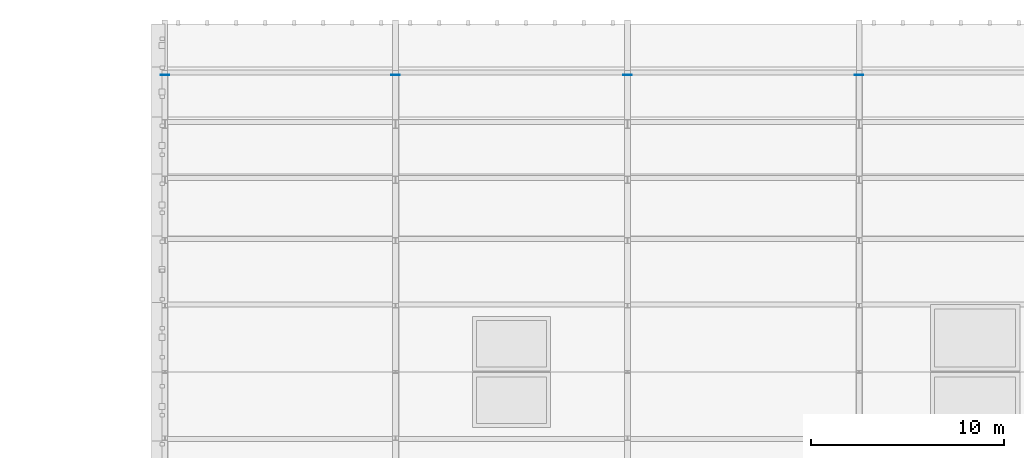
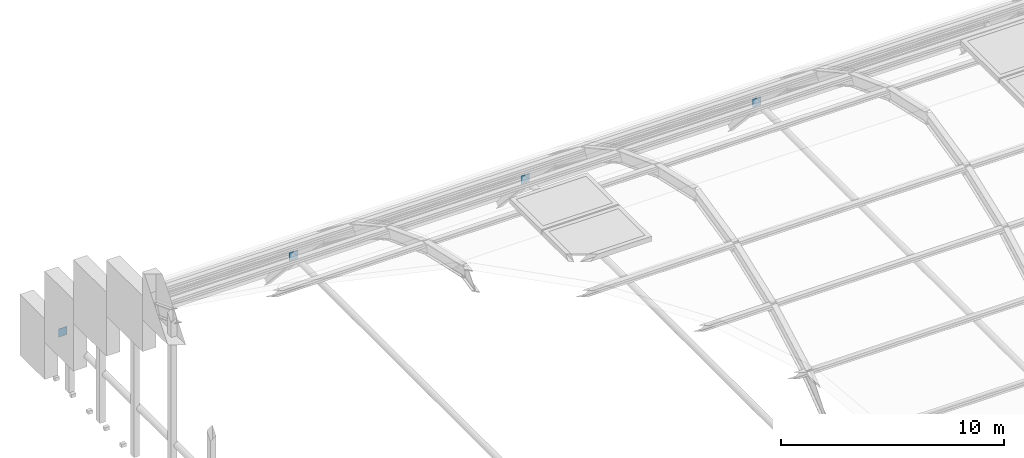
# One storey, part 13 of 35: 4 plates.
"""IFC4 building model written with IfcOpenShell, lengths in metres."""

import ifcopenshell
import ifcopenshell.guid

model = None  # the IFC model being written
_history = None  # IfcOwnerHistory: only IFC2X3 demands one
_inside = {}  # id of a spatial element -> (the spatial element, [elements in it])
_under = {}  # id of a project, library or spatial element -> (it, [spatial elements below it])
_declared = {}  # id of a project -> (the project, [libraries it declares])
_typed = {}  # id of a type object -> (the type object, [elements of that type])
_made_of = {}  # id of a material, layer set ... -> (it, [elements and type objects made of it])


def new_model(schema):
    """Start an empty IFC model of exactly this schema.

    Asked for "IFC4X3", IfcOpenShell would pick the latest addendum, in which some entities
    have other attributes; the version numbers below select the first issue.
    IFC2X3 requires an IfcOwnerHistory on every rooted entity: one is made here for all.
    """
    global model, _history
    if schema == "IFC4X3":
        model = ifcopenshell.file(schema_version=(4, 3, 0, 0))
    else:
        model = ifcopenshell.file(schema=schema)
    _inside.clear()
    _under.clear()
    _declared.clear()
    _typed.clear()
    _made_of.clear()
    _history = None
    if model.schema == "IFC2X3":
        org = make("IfcOrganization", Name="unknown")
        user = make(
            "IfcPersonAndOrganization",
            ThePerson=make("IfcPerson", FamilyName="unknown"),
            TheOrganization=org,
        )
        app = make(
            "IfcApplication",
            ApplicationDeveloper=org,
            Version="unknown",
            ApplicationFullName="unknown",
            ApplicationIdentifier="unknown",
        )
        _history = make(
            "IfcOwnerHistory",
            OwningUser=user,
            OwningApplication=app,
            ChangeAction="ADDED",
            CreationDate=0,
        )
    return model


def make(cls, **values):
    """One entity of the class cls with the attributes given. An attribute that is None is left unset."""
    return model.create_entity(
        cls, **{name: value for name, value in values.items() if value is not None}
    )


def rooted(cls, **values):
    """An entity with a GlobalId (a new one), such as an element, a storey or a relation."""
    return make(cls, GlobalId=ifcopenshell.guid.new(), OwnerHistory=_history, **values)


def si_unit(unit_type, name, prefix=None):
    """IfcSIUnit, for example si_unit("LENGTHUNIT", "METRE", prefix="MILLI")."""
    return make("IfcSIUnit", UnitType=unit_type, Prefix=prefix, Name=name)


def assignment(units):
    """IfcUnitAssignment: the units of a project."""
    return None if units is None else make("IfcUnitAssignment", Units=units)


def point(xyz):
    """IfcCartesianPoint."""
    return None if xyz is None else make("IfcCartesianPoint", Coordinates=xyz)


def direction(xyz):
    """IfcDirection."""
    return None if xyz is None else make("IfcDirection", DirectionRatios=xyz)


def frame(location, z_axis=None, x_axis=None):
    """IfcAxis2Placement3D, a coordinate frame: its origin and axes. An axis left out is left unset."""
    return make(
        "IfcAxis2Placement3D",
        Location=point(location),
        Axis=direction(z_axis),
        RefDirection=direction(x_axis),
    )


def frame_2d(location, x_axis=None):
    """IfcAxis2Placement2D, a coordinate frame in the plane: its origin and x axis."""
    return make(
        "IfcAxis2Placement2D", Location=point(location), RefDirection=direction(x_axis)
    )


def origin():
    """The frame at (0, 0, 0) with its axes left unset."""
    return frame((0.0, 0.0, 0.0))


def origin_2d():
    """The frame at (0, 0) in the plane with its x axis left unset."""
    return frame_2d((0.0, 0.0))


def place(relative_to, where):
    """IfcLocalPlacement: puts the frame where relative to a parent placement (None: the world)."""
    return make(
        "IfcLocalPlacement", PlacementRelTo=relative_to, RelativePlacement=where
    )


def context(
    kind, dimensions, precision=None, world=None, true_north=None, identifier=None
):
    """IfcGeometricRepresentationContext, for example the 3D "Model" context."""
    return make(
        "IfcGeometricRepresentationContext",
        ContextIdentifier=identifier,
        ContextType=kind,
        CoordinateSpaceDimension=dimensions,
        Precision=precision,
        WorldCoordinateSystem=world,
        TrueNorth=true_north,
    )


def subcontext(parent, identifier, kind, view, scale=None):
    """IfcGeometricRepresentationSubContext, for example "Body" below "Model"."""
    return make(
        "IfcGeometricRepresentationSubContext",
        ContextIdentifier=identifier,
        ContextType=kind,
        ParentContext=parent,
        TargetScale=scale,
        TargetView=view,
    )


def project(units=None, contexts=None):
    """IfcProject with its units and contexts."""
    return rooted(
        "IfcProject",
        Name="project",
        RepresentationContexts=contexts,
        UnitsInContext=assignment(units),
    )


def spatial(cls, under=None, at=None, **own):
    """A site, building, storey or space (cls), placed at a placement, below another one or the project."""
    s = rooted(cls, ObjectPlacement=at, **own)
    if under is not None:
        _under.setdefault(under.id(), (under, []))[1].append(s)
    return s


def profile(cls, at=None, kind="AREA", **sizes):
    """A parametric profile (cls). Its sizes go by their IFC names, for example OverallWidth=200.0."""
    return make(cls, ProfileType=kind, Position=at, **sizes)


def rectangle(**sizes):
    """IfcRectangleProfileDef."""
    return profile("IfcRectangleProfileDef", **sizes)


def extrude(swept, where, along, depth):
    """IfcExtrudedAreaSolid: the profile swept, set in the frame where, extruded along a direction by depth."""
    return make(
        "IfcExtrudedAreaSolid",
        SweptArea=swept,
        Position=where,
        ExtrudedDirection=direction(along),
        Depth=depth,
    )


def shape(context_of_items, identifier, shape_type, items):
    """IfcShapeRepresentation: the items that make up one representation, for example the "Body"."""
    return make(
        "IfcShapeRepresentation",
        ContextOfItems=context_of_items,
        RepresentationIdentifier=identifier,
        RepresentationType=shape_type,
        Items=items,
    )


def material(Name=None, Category=None):
    """IfcMaterial."""
    return make("IfcMaterial", Name=Name, Category=Category)


def layer(
    of_material, thickness, ventilated=None, Name=None, Category=None, Priority=None
):
    """IfcMaterialLayer: one layer of a wall or slab, of a material (None: an air gap)."""
    return make(
        "IfcMaterialLayer",
        Material=of_material,
        LayerThickness=thickness,
        IsVentilated=ventilated,
        Name=Name,
        Category=Category,
        Priority=Priority,
    )


def layer_set(layers, Name=None):
    """IfcMaterialLayerSet."""
    return make("IfcMaterialLayerSet", MaterialLayers=layers, LayerSetName=Name)


def made_of(thing, what):
    """Note that an element or type object is made of a material, layer set ...; save() writes the relation."""
    if what is not None:
        _made_of.setdefault(what.id(), (what, []))[1].append(thing)
    return thing


def type_object(cls, material=None, **own):
    """A type object (cls), such as IfcWallType, which elements share."""
    return made_of(rooted(cls, **own), material)


def element(
    cls,
    number,
    at=None,
    inside=None,
    cuts=None,
    type_object=None,
    material=None,
    context=None,
    identifier="Body",
    shape_type=None,
    held_by="IfcProductDefinitionShape",
    body=None,
    shapes=None,
    **own,
):
    """One element of the class cls, such as IfcWall. Its Tag is "e" and its number.

    at: its placement. inside: the storey or other place that contains it. cuts: it is an
    opening in that element (IfcRelVoidsElement). A single representation is given by context,
    identifier, shape_type and body (its items); several are given by shapes. held_by: the class
    of the entity that holds the representations. save() writes the other relations.
    """
    e = rooted(cls, Tag="e%d" % number, ObjectPlacement=at, **own)
    if body is not None:
        shapes = [shape(context, identifier, shape_type, body)]
    if shapes is not None:
        e.Representation = make(held_by, Representations=shapes)
    if inside is not None:
        _inside.setdefault(inside.id(), (inside, []))[1].append(e)
    if cuts is not None:
        rooted(
            "IfcRelVoidsElement", RelatingBuildingElement=cuts, RelatedOpeningElement=e
        )
    if type_object is not None:
        _typed.setdefault(type_object.id(), (type_object, []))[1].append(e)
    return made_of(e, material)


def aggregate(whole, parts):
    """IfcRelAggregates: a whole, such as a stair, and the parts it consists of."""
    return rooted("IfcRelAggregates", RelatingObject=whole, RelatedObjects=parts)


def save(model, path):
    """Write the relations noted so far, then the file.

    IfcRelAggregates (storeys below a building ...), IfcRelContainedInSpatialStructure (elements
    in a storey), IfcRelDefinesByType, IfcRelAssociatesMaterial and IfcRelDeclares: one each for
    every whole, place, type object, material and project.
    """
    for whole, parts in _under.values():
        aggregate(whole, parts)
    for where, things in _inside.values():
        rooted(
            "IfcRelContainedInSpatialStructure",
            RelatedElements=things,
            RelatingStructure=where,
        )
    for kind, things in _typed.values():
        rooted("IfcRelDefinesByType", RelatedObjects=things, RelatingType=kind)
    for what, things in _made_of.values():
        rooted("IfcRelAssociatesMaterial", RelatedObjects=things, RelatingMaterial=what)
    for by, libraries in _declared.values():
        rooted("IfcRelDeclares", RelatingContext=by, RelatedDefinitions=libraries)
    model.write(path)


model = new_model("IFC4")

# Units and contexts
model_context = context("Model", 3, precision=1e-05, world=origin(), true_north=direction((0.0, 1.0)))
body_context = subcontext(model_context, "Body", "Model", "MODEL_VIEW")
ifc_project = project(units=[si_unit("LENGTHUNIT", "METRE"), si_unit("AREAUNIT", "SQUARE_METRE"), si_unit("VOLUMEUNIT", "CUBIC_METRE"), si_unit("PLANEANGLEUNIT", "RADIAN"), si_unit("MASSUNIT", "GRAM", prefix="KILO")], contexts=[model_context])

# Site, building, storey
site_placement = place(None, origin())
site = spatial("IfcSite", under=ifc_project, at=site_placement, CompositionType="ELEMENT")
building_placement = place(site_placement, origin())
building = spatial("IfcBuilding", under=site, at=building_placement, Name="Zlatogorsky Bluff Art Gallery", CompositionType="ELEMENT")
storey_placement = place(building_placement, frame((0.0, 0.0, 23.39990234375)))
storey = spatial("IfcBuildingStorey", under=building, at=storey_placement, Name="L04", CompositionType="ELEMENT", Elevation=23.39990234375)

# Plates
ifc_material = material(Name="Steel S355", Category="steel")
ifc_layer = layer(ifc_material, 0.43994140625)
ifc_layer_set = layer_set([ifc_layer], Name="Node Plate CP-03")
plate_type = type_object("IfcPlateType", Name="Node Plate CP-03", PredefinedType="USERDEFINED", material=ifc_layer_set)
for number, where, z_axis, x_axis, name in (
    (1, (0.050048828125, 117.376220703125, 2.357177734375), (0.0, 0.0, 1.0), (1.0, 0.0, 0.0), "Vault tie north cap plate A"),
    (2, (12.0, 117.376220703125, 2.357177734375), (0.0, 0.0, 1.0), (1.0, 0.0, 0.0), "Vault tie north cap plate B"),
    (3, (24.0, 117.376220703125, 2.357177734375), (0.0, 0.0, 1.0), (1.0, 0.0, 0.0), "Vault tie north cap plate C"),
    (4, (36.0, 117.376220703125, 2.357177734375), (0.0, 0.0, 1.0), (1.0, 0.0, 0.0), "Vault tie north cap plate D"),
):
    element("IfcPlate", number, at=place(storey_placement, frame(where, z_axis=z_axis, x_axis=x_axis)), inside=storey, type_object=plate_type, Name=name, ObjectType="CAP PLATE", PredefinedType="USERDEFINED", context=body_context, shape_type="SweptSolid", body=[
        extrude(rectangle(XDim=0.43994140625, YDim=0.02587890625, at=origin_2d()), origin(), (0.0, 0.0, 1.0), 0.43994140625),
    ])

save(model, "model.ifc")
